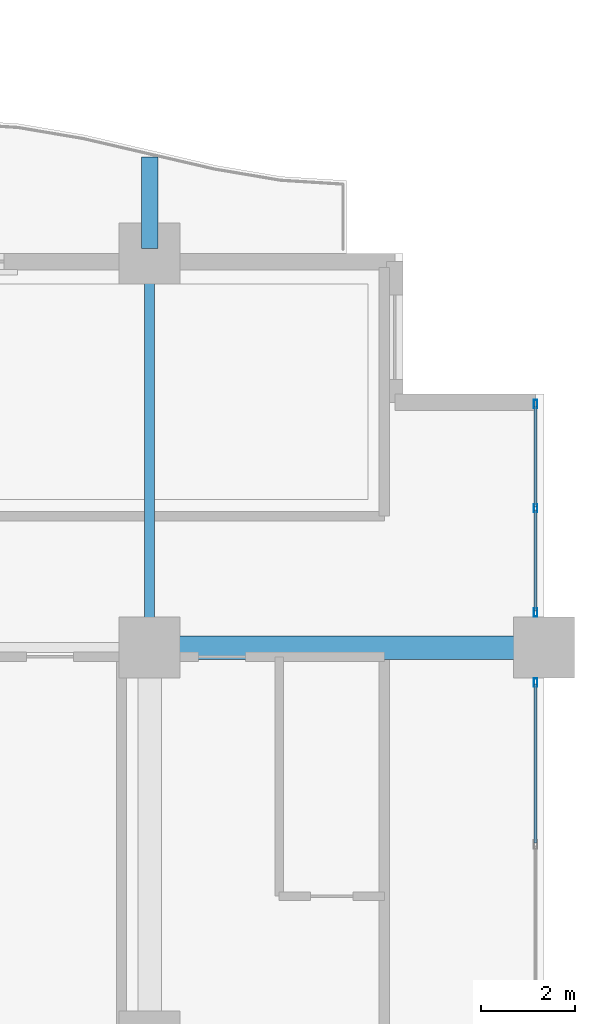
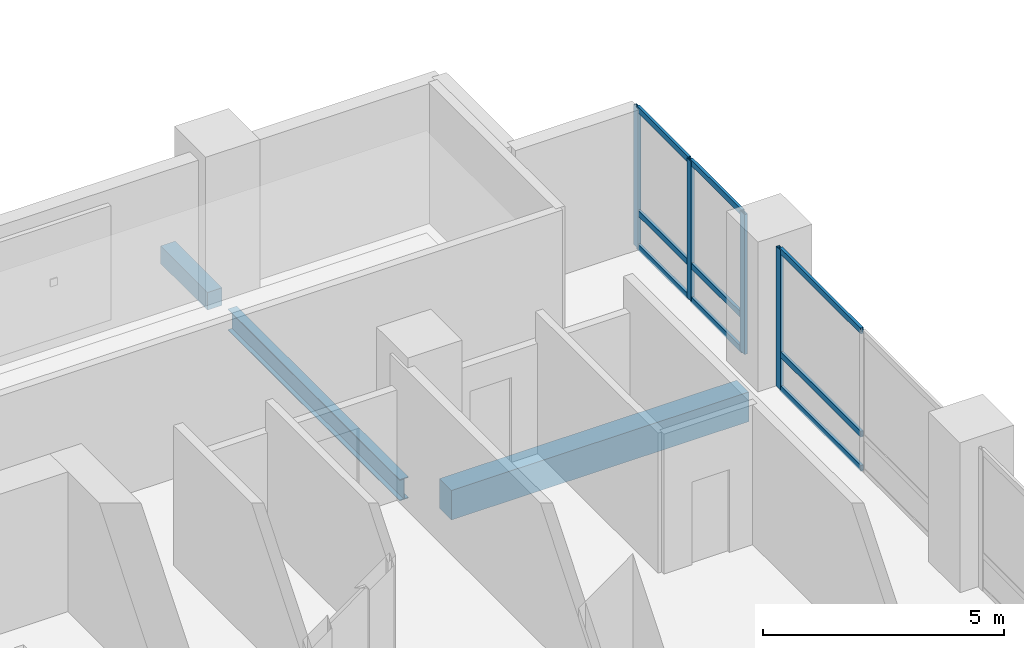
# One storey, part 6 of 23: 13 members, 3 beams, 2 elements without a shape of their own.
"""IFC4 building model written with IfcOpenShell, lengths in metres."""

import ifcopenshell
import ifcopenshell.guid

model = None  # the IFC model being written
_history = None  # IfcOwnerHistory: only IFC2X3 demands one
_inside = {}  # id of a spatial element -> (the spatial element, [elements in it])
_under = {}  # id of a project, library or spatial element -> (it, [spatial elements below it])
_declared = {}  # id of a project -> (the project, [libraries it declares])
_typed = {}  # id of a type object -> (the type object, [elements of that type])
_made_of = {}  # id of a material, layer set ... -> (it, [elements and type objects made of it])


def new_model(schema):
    """Start an empty IFC model of exactly this schema.

    Asked for "IFC4X3", IfcOpenShell would pick the latest addendum, in which some entities
    have other attributes; the version numbers below select the first issue.
    IFC2X3 requires an IfcOwnerHistory on every rooted entity: one is made here for all.
    """
    global model, _history
    if schema == "IFC4X3":
        model = ifcopenshell.file(schema_version=(4, 3, 0, 0))
    else:
        model = ifcopenshell.file(schema=schema)
    _inside.clear()
    _under.clear()
    _declared.clear()
    _typed.clear()
    _made_of.clear()
    _history = None
    if model.schema == "IFC2X3":
        org = make("IfcOrganization", Name="unknown")
        user = make(
            "IfcPersonAndOrganization",
            ThePerson=make("IfcPerson", FamilyName="unknown"),
            TheOrganization=org,
        )
        app = make(
            "IfcApplication",
            ApplicationDeveloper=org,
            Version="unknown",
            ApplicationFullName="unknown",
            ApplicationIdentifier="unknown",
        )
        _history = make(
            "IfcOwnerHistory",
            OwningUser=user,
            OwningApplication=app,
            ChangeAction="ADDED",
            CreationDate=0,
        )
    return model


def make(cls, **values):
    """One entity of the class cls with the attributes given. An attribute that is None is left unset."""
    return model.create_entity(
        cls, **{name: value for name, value in values.items() if value is not None}
    )


def rooted(cls, **values):
    """An entity with a GlobalId (a new one), such as an element, a storey or a relation."""
    return make(cls, GlobalId=ifcopenshell.guid.new(), OwnerHistory=_history, **values)


def si_unit(unit_type, name, prefix=None):
    """IfcSIUnit, for example si_unit("LENGTHUNIT", "METRE", prefix="MILLI")."""
    return make("IfcSIUnit", UnitType=unit_type, Prefix=prefix, Name=name)


def assignment(units):
    """IfcUnitAssignment: the units of a project."""
    return None if units is None else make("IfcUnitAssignment", Units=units)


def point(xyz):
    """IfcCartesianPoint."""
    return None if xyz is None else make("IfcCartesianPoint", Coordinates=xyz)


def direction(xyz):
    """IfcDirection."""
    return None if xyz is None else make("IfcDirection", DirectionRatios=xyz)


def frame(location, z_axis=None, x_axis=None):
    """IfcAxis2Placement3D, a coordinate frame: its origin and axes. An axis left out is left unset."""
    return make(
        "IfcAxis2Placement3D",
        Location=point(location),
        Axis=direction(z_axis),
        RefDirection=direction(x_axis),
    )


def frame_2d(location, x_axis=None):
    """IfcAxis2Placement2D, a coordinate frame in the plane: its origin and x axis."""
    return make(
        "IfcAxis2Placement2D", Location=point(location), RefDirection=direction(x_axis)
    )


def origin():
    """The frame at (0, 0, 0) with its axes left unset."""
    return frame((0.0, 0.0, 0.0))


def origin_2d():
    """The frame at (0, 0) in the plane with its x axis left unset."""
    return frame_2d((0.0, 0.0))


def place(relative_to, where):
    """IfcLocalPlacement: puts the frame where relative to a parent placement (None: the world)."""
    return make(
        "IfcLocalPlacement", PlacementRelTo=relative_to, RelativePlacement=where
    )


def context(
    kind, dimensions, precision=None, world=None, true_north=None, identifier=None
):
    """IfcGeometricRepresentationContext, for example the 3D "Model" context."""
    return make(
        "IfcGeometricRepresentationContext",
        ContextIdentifier=identifier,
        ContextType=kind,
        CoordinateSpaceDimension=dimensions,
        Precision=precision,
        WorldCoordinateSystem=world,
        TrueNorth=true_north,
    )


def subcontext(parent, identifier, kind, view, scale=None):
    """IfcGeometricRepresentationSubContext, for example "Body" below "Model"."""
    return make(
        "IfcGeometricRepresentationSubContext",
        ContextIdentifier=identifier,
        ContextType=kind,
        ParentContext=parent,
        TargetScale=scale,
        TargetView=view,
    )


def project(units=None, contexts=None):
    """IfcProject with its units and contexts."""
    return rooted(
        "IfcProject",
        Name="project",
        RepresentationContexts=contexts,
        UnitsInContext=assignment(units),
    )


def spatial(cls, under=None, at=None, **own):
    """A site, building, storey or space (cls), placed at a placement, below another one or the project."""
    s = rooted(cls, ObjectPlacement=at, **own)
    if under is not None:
        _under.setdefault(under.id(), (under, []))[1].append(s)
    return s


def profile(cls, at=None, kind="AREA", **sizes):
    """A parametric profile (cls). Its sizes go by their IFC names, for example OverallWidth=200.0."""
    return make(cls, ProfileType=kind, Position=at, **sizes)


def rectangle(**sizes):
    """IfcRectangleProfileDef."""
    return profile("IfcRectangleProfileDef", **sizes)


def hollow_rectangle(**sizes):
    """IfcRectangleHollowProfileDef."""
    return profile("IfcRectangleHollowProfileDef", **sizes)


def i_section(**sizes):
    """IfcIShapeProfileDef."""
    return profile("IfcIShapeProfileDef", **sizes)


def extrude(swept, where, along, depth):
    """IfcExtrudedAreaSolid: the profile swept, set in the frame where, extruded along a direction by depth."""
    return make(
        "IfcExtrudedAreaSolid",
        SweptArea=swept,
        Position=where,
        ExtrudedDirection=direction(along),
        Depth=depth,
    )


def shape(context_of_items, identifier, shape_type, items):
    """IfcShapeRepresentation: the items that make up one representation, for example the "Body"."""
    return make(
        "IfcShapeRepresentation",
        ContextOfItems=context_of_items,
        RepresentationIdentifier=identifier,
        RepresentationType=shape_type,
        Items=items,
    )


def material(Name=None, Category=None):
    """IfcMaterial."""
    return make("IfcMaterial", Name=Name, Category=Category)


def layer(
    of_material, thickness, ventilated=None, Name=None, Category=None, Priority=None
):
    """IfcMaterialLayer: one layer of a wall or slab, of a material (None: an air gap)."""
    return make(
        "IfcMaterialLayer",
        Material=of_material,
        LayerThickness=thickness,
        IsVentilated=ventilated,
        Name=Name,
        Category=Category,
        Priority=Priority,
    )


def layer_set(layers, Name=None):
    """IfcMaterialLayerSet."""
    return make("IfcMaterialLayerSet", MaterialLayers=layers, LayerSetName=Name)


def material_profile(
    of_material, cross_section, Name=None, Category=None, Priority=None
):
    """IfcMaterialProfile: a cross section and its material."""
    return make(
        "IfcMaterialProfile",
        Name=Name,
        Material=of_material,
        Profile=cross_section,
        Priority=Priority,
        Category=Category,
    )


def profile_set(profiles, Name=None, composite=None):
    """IfcMaterialProfileSet."""
    return make(
        "IfcMaterialProfileSet",
        Name=Name,
        MaterialProfiles=profiles,
        CompositeProfile=composite,
    )


def made_of(thing, what):
    """Note that an element or type object is made of a material, layer set ...; save() writes the relation."""
    if what is not None:
        _made_of.setdefault(what.id(), (what, []))[1].append(thing)
    return thing


def type_object(cls, material=None, **own):
    """A type object (cls), such as IfcWallType, which elements share."""
    return made_of(rooted(cls, **own), material)


def element(
    cls,
    number,
    at=None,
    inside=None,
    cuts=None,
    type_object=None,
    material=None,
    context=None,
    identifier="Body",
    shape_type=None,
    held_by="IfcProductDefinitionShape",
    body=None,
    shapes=None,
    **own,
):
    """One element of the class cls, such as IfcWall. Its Tag is "e" and its number.

    at: its placement. inside: the storey or other place that contains it. cuts: it is an
    opening in that element (IfcRelVoidsElement). A single representation is given by context,
    identifier, shape_type and body (its items); several are given by shapes. held_by: the class
    of the entity that holds the representations. save() writes the other relations.
    """
    e = rooted(cls, Tag="e%d" % number, ObjectPlacement=at, **own)
    if body is not None:
        shapes = [shape(context, identifier, shape_type, body)]
    if shapes is not None:
        e.Representation = make(held_by, Representations=shapes)
    if inside is not None:
        _inside.setdefault(inside.id(), (inside, []))[1].append(e)
    if cuts is not None:
        rooted(
            "IfcRelVoidsElement", RelatingBuildingElement=cuts, RelatedOpeningElement=e
        )
    if type_object is not None:
        _typed.setdefault(type_object.id(), (type_object, []))[1].append(e)
    return made_of(e, material)


def aggregate(whole, parts):
    """IfcRelAggregates: a whole, such as a stair, and the parts it consists of."""
    return rooted("IfcRelAggregates", RelatingObject=whole, RelatedObjects=parts)


def save(model, path):
    """Write the relations noted so far, then the file.

    IfcRelAggregates (storeys below a building ...), IfcRelContainedInSpatialStructure (elements
    in a storey), IfcRelDefinesByType, IfcRelAssociatesMaterial and IfcRelDeclares: one each for
    every whole, place, type object, material and project.
    """
    for whole, parts in _under.values():
        aggregate(whole, parts)
    for where, things in _inside.values():
        rooted(
            "IfcRelContainedInSpatialStructure",
            RelatedElements=things,
            RelatingStructure=where,
        )
    for kind, things in _typed.values():
        rooted("IfcRelDefinesByType", RelatedObjects=things, RelatingType=kind)
    for what, things in _made_of.values():
        rooted("IfcRelAssociatesMaterial", RelatedObjects=things, RelatingMaterial=what)
    for by, libraries in _declared.values():
        rooted("IfcRelDeclares", RelatingContext=by, RelatedDefinitions=libraries)
    model.write(path)


model = new_model("IFC4")

# Units and contexts
model_context = context("Model", 3, precision=1e-05, world=origin(), true_north=direction((0.0, 1.0)))
body_context = subcontext(model_context, "Body", "Model", "MODEL_VIEW")
ifc_project = project(units=[si_unit("LENGTHUNIT", "METRE"), si_unit("AREAUNIT", "SQUARE_METRE"), si_unit("VOLUMEUNIT", "CUBIC_METRE"), si_unit("PLANEANGLEUNIT", "RADIAN"), si_unit("MASSUNIT", "GRAM", prefix="KILO")], contexts=[model_context])

# Site, building, storey
site_placement = place(None, origin())
site = spatial("IfcSite", under=ifc_project, at=site_placement, CompositionType="ELEMENT")
building_placement = place(site_placement, origin())
building = spatial("IfcBuilding", under=site, at=building_placement, Name="Koriwani Terraces Tower", CompositionType="ELEMENT")
storey_placement = place(building_placement, frame((0.0, 0.0, 119.0)))
storey = spatial("IfcBuildingStorey", under=building, at=storey_placement, Name="L28", CompositionType="ELEMENT", Elevation=119.0)

# Beams
ifc_material_1 = material(Name="Concrete C40/50", Category="concrete")
ifc_material_profile_1 = material_profile(ifc_material_1, rectangle(XDim=0.35009765625, YDim=0.449951171875, at=origin_2d()), Name="Concrete C40/50", Category="LoadBearing")
ifc_profile_set_1 = profile_set([ifc_material_profile_1], Name="Concrete C40/50")
beam_type_1 = type_object("IfcBeamType", Name="BEAM_RC_BALCONY_RIB_350X450", PredefinedType="JOIST", material=ifc_profile_set_1)
beam_1_placement = place(storey_placement, frame((67.199951171875, 33.699951171875, -0.47509765625), z_axis=(0.0, 1.0, 0.0), x_axis=(-1.0, 0.0, 0.0)))
element("IfcBeam", 1, at=beam_1_placement, inside=storey, type_object=beam_type_1, Name="L28 Balcony Bracket Rib NE-4", PredefinedType="JOIST", context=body_context, shape_type="SweptSolid", body=[
    extrude(rectangle(XDim=0.35009765625, YDim=0.449951171875, at=origin_2d()), origin(), (0.0, 0.0, 1.0), 1.949951171875),
])
ifc_material_2 = material(Name="Concrete C50/60", Category="concrete")
ifc_material_profile_2 = material_profile(ifc_material_2, rectangle(XDim=0.5, YDim=0.75, at=origin_2d()), Name="Concrete C50/60", Category="LoadBearing")
ifc_profile_set_2 = profile_set([ifc_material_profile_2], Name="Concrete C50/60")
beam_type_2 = type_object("IfcBeamType", Name="BEAM_RC_GRID_500X750", PredefinedType="BEAM", material=ifc_profile_set_2)
beam_2_placement = place(storey_placement, frame((67.830078125, 25.199951171875, -0.625), z_axis=(1.0, 0.0, 0.0), x_axis=(0.0, 1.0, 0.0)))
element("IfcBeam", 2, at=beam_2_placement, inside=storey, type_object=beam_type_2, Name="L28 Grid Beam D (67.2-75.6m)", PredefinedType="BEAM", context=body_context, shape_type="SweptSolid", body=[
    extrude(rectangle(XDim=0.5, YDim=0.75, at=origin_2d()), origin(), (0.0, 0.0, 1.0), 7.139892578125),
])

# Curtain wall, members
ifc_material_3 = material(Name="Anodised Bronze Aluminium", Category="aluminium")
ifc_layer = layer(ifc_material_3, 0.179931640625, Name="Anodised Bronze Aluminium")
ifc_layer_set = layer_set([ifc_layer], Name="Anodised Bronze Aluminium")
curtain_wall_type = type_object("IfcCurtainWallType", Name="CW_HOTEL_ZONE2", PredefinedType="NOTDEFINED", material=ifc_layer_set)
curtain_wall_1_placement = place(storey_placement, origin())
curtain_wall_1 = element("IfcCurtainWall", 3, at=curtain_wall_1_placement, inside=storey, type_object=curtain_wall_type, Name="L28 Unitised Curtain Wall (E_TIP) Bay 1", PredefinedType="NOTDEFINED")
ifc_material_profile_3 = material_profile(ifc_material_3, hollow_rectangle(XDim=0.074951171875, YDim=0.179931640625, WallThickness=0.006103515625, at=origin_2d()), Name="Anodised Bronze Aluminium", Category="LoadBearing")
ifc_profile_set_3 = profile_set([ifc_material_profile_3], Name="Anodised Bronze Aluminium")
member_type_1 = type_object("IfcMemberType", Name="CW_MULLION_180X75", PredefinedType="MULLION", material=ifc_profile_set_3)
member_1_placement = place(storey_placement, frame((75.425048828125, 30.387451171875, 0.0), z_axis=(0.0, 0.0, 1.0), x_axis=(1.0, 0.0, 0.0)))
member_1 = element("IfcMember", 4, at=member_1_placement, type_object=member_type_1, Name="CW-Z2 mullion 1", PredefinedType="MULLION", context=body_context, shape_type="SweptSolid", body=[
    extrude(hollow_rectangle(XDim=0.074951171875, YDim=0.179931640625, WallThickness=0.006103515625, at=origin_2d()), origin(), (0.0, 0.0, 1.0), 3.550048828125),
])
member_2_placement = place(storey_placement, frame((75.425048828125, 28.16748046875, 0.0), z_axis=(0.0, 0.0, 1.0), x_axis=(1.0, 0.0, 0.0)))
member_2 = element("IfcMember", 5, at=member_2_placement, type_object=member_type_1, Name="CW-Z2 mullion 2", PredefinedType="MULLION", context=body_context, shape_type="SweptSolid", body=[
    extrude(hollow_rectangle(XDim=0.074951171875, YDim=0.179931640625, WallThickness=0.006103515625, at=origin_2d()), origin(), (0.0, 0.0, 1.0), 3.550048828125),
])
member_3_placement = place(storey_placement, frame((75.425048828125, 25.947509765625, 0.0), z_axis=(0.0, 0.0, 1.0), x_axis=(1.0, 0.0, 0.0)))
member_3 = element("IfcMember", 6, at=member_3_placement, type_object=member_type_1, Name="CW-Z2 mullion 3", PredefinedType="MULLION", context=body_context, shape_type="SweptSolid", body=[
    extrude(hollow_rectangle(XDim=0.074951171875, YDim=0.179931640625, WallThickness=0.006103515625, at=origin_2d()), origin(), (0.0, 0.0, 1.0), 3.550048828125),
])

# Curtain wall, member
curtain_wall_2_placement = place(storey_placement, origin())
curtain_wall_2 = element("IfcCurtainWall", 7, at=curtain_wall_2_placement, inside=storey, type_object=curtain_wall_type, Name="L28 Unitised Curtain Wall (E_TIP) Bay 2", PredefinedType="NOTDEFINED")
member_4_placement = place(storey_placement, frame((75.425048828125, 24.452392578125, 0.0), z_axis=(0.0, 0.0, 1.0), x_axis=(1.0, 0.0, 0.0)))
member_4 = element("IfcMember", 8, at=member_4_placement, type_object=member_type_1, Name="CW-Z2 mullion 1", PredefinedType="MULLION", context=body_context, shape_type="SweptSolid", body=[
    extrude(hollow_rectangle(XDim=0.074951171875, YDim=0.179931640625, WallThickness=0.006103515625, at=origin_2d()), origin(), (0.0, 0.0, 1.0), 3.550048828125),
])

# Member
ifc_material_profile_4 = material_profile(ifc_material_3, hollow_rectangle(XDim=0.06494140625, YDim=0.14990234375, WallThickness=0.0048828125, at=origin_2d()), Name="Anodised Bronze Aluminium", Category="LoadBearing")
ifc_profile_set_4 = profile_set([ifc_material_profile_4], Name="Anodised Bronze Aluminium")
member_type_2 = type_object("IfcMemberType", Name="CW_TRANSOM_150X65", PredefinedType="USERDEFINED", material=ifc_profile_set_4)
member_5_placement = place(storey_placement, frame((75.425048828125, 30.35009765625, 0.032470703125), z_axis=(0.0, -1.0, 0.0), x_axis=(1.0, 0.0, 0.0)))
member_5 = element("IfcMember", 9, at=member_5_placement, type_object=member_type_2, Name="CW-Z2 transom 1.1", ObjectType="TRANSOM", PredefinedType="USERDEFINED", context=body_context, shape_type="SweptSolid", body=[
    extrude(hollow_rectangle(XDim=0.06494140625, YDim=0.14990234375, WallThickness=0.0048828125, at=origin_2d()), origin(), (0.0, 0.0, 1.0), 2.14501953125),
])

member_6_placement = place(storey_placement, frame((75.425048828125, 30.35009765625, 0.89990234375), z_axis=(0.0, -1.0, 0.0), x_axis=(1.0, 0.0, 0.0)))
member_6 = element("IfcMember", 10, at=member_6_placement, type_object=member_type_2, Name="CW-Z2 transom 1.2", ObjectType="TRANSOM", PredefinedType="USERDEFINED", context=body_context, shape_type="SweptSolid", body=[
    extrude(hollow_rectangle(XDim=0.06494140625, YDim=0.14990234375, WallThickness=0.0048828125, at=origin_2d()), origin(), (0.0, 0.0, 1.0), 2.14501953125),
])

member_7_placement = place(storey_placement, frame((75.425048828125, 30.35009765625, 3.517578125), z_axis=(0.0, -1.0, 0.0), x_axis=(1.0, 0.0, 0.0)))
member_7 = element("IfcMember", 11, at=member_7_placement, type_object=member_type_2, Name="CW-Z2 transom 1.3", ObjectType="TRANSOM", PredefinedType="USERDEFINED", context=body_context, shape_type="SweptSolid", body=[
    extrude(hollow_rectangle(XDim=0.06494140625, YDim=0.14990234375, WallThickness=0.0048828125, at=origin_2d()), origin(), (0.0, 0.0, 1.0), 2.14501953125),
])

member_8_placement = place(storey_placement, frame((75.425048828125, 28.1298828125, 0.032470703125), z_axis=(0.0, -1.0, 0.0), x_axis=(1.0, 0.0, 0.0)))
member_8 = element("IfcMember", 12, at=member_8_placement, type_object=member_type_2, Name="CW-Z2 transom 2.1", ObjectType="TRANSOM", PredefinedType="USERDEFINED", context=body_context, shape_type="SweptSolid", body=[
    extrude(hollow_rectangle(XDim=0.06494140625, YDim=0.14990234375, WallThickness=0.0048828125, at=origin_2d()), origin(), (0.0, 0.0, 1.0), 2.144775390625),
])

member_9_placement = place(storey_placement, frame((75.425048828125, 28.1298828125, 0.89990234375), z_axis=(0.0, -1.0, 0.0), x_axis=(1.0, 0.0, 0.0)))
member_9 = element("IfcMember", 13, at=member_9_placement, type_object=member_type_2, Name="CW-Z2 transom 2.2", ObjectType="TRANSOM", PredefinedType="USERDEFINED", context=body_context, shape_type="SweptSolid", body=[
    extrude(hollow_rectangle(XDim=0.06494140625, YDim=0.14990234375, WallThickness=0.0048828125, at=origin_2d()), origin(), (0.0, 0.0, 1.0), 2.144775390625),
])

member_10_placement = place(storey_placement, frame((75.425048828125, 28.1298828125, 3.517578125), z_axis=(0.0, -1.0, 0.0), x_axis=(1.0, 0.0, 0.0)))
member_10 = element("IfcMember", 14, at=member_10_placement, type_object=member_type_2, Name="CW-Z2 transom 2.3", ObjectType="TRANSOM", PredefinedType="USERDEFINED", context=body_context, shape_type="SweptSolid", body=[
    extrude(hollow_rectangle(XDim=0.06494140625, YDim=0.14990234375, WallThickness=0.0048828125, at=origin_2d()), origin(), (0.0, 0.0, 1.0), 2.144775390625),
])

aggregate(curtain_wall_1, [member_1, member_2, member_3, member_5, member_6, member_7, member_8, member_9, member_10])

member_11_placement = place(storey_placement, frame((75.425048828125, 24.4150390625, 0.032470703125), z_axis=(0.0, -1.0, 0.0), x_axis=(1.0, 0.0, 0.0)))
member_11 = element("IfcMember", 15, at=member_11_placement, type_object=member_type_2, Name="CW-Z2 transom 1.1", ObjectType="TRANSOM", PredefinedType="USERDEFINED", context=body_context, shape_type="SweptSolid", body=[
    extrude(hollow_rectangle(XDim=0.06494140625, YDim=0.14990234375, WallThickness=0.0048828125, at=origin_2d()), origin(), (0.0, 0.0, 1.0), 3.37744140625),
])

member_12_placement = place(storey_placement, frame((75.425048828125, 24.4150390625, 0.89990234375), z_axis=(0.0, -1.0, 0.0), x_axis=(1.0, 0.0, 0.0)))
member_12 = element("IfcMember", 16, at=member_12_placement, type_object=member_type_2, Name="CW-Z2 transom 1.2", ObjectType="TRANSOM", PredefinedType="USERDEFINED", context=body_context, shape_type="SweptSolid", body=[
    extrude(hollow_rectangle(XDim=0.06494140625, YDim=0.14990234375, WallThickness=0.0048828125, at=origin_2d()), origin(), (0.0, 0.0, 1.0), 3.37744140625),
])

member_13_placement = place(storey_placement, frame((75.425048828125, 24.4150390625, 3.517578125), z_axis=(0.0, -1.0, 0.0), x_axis=(1.0, 0.0, 0.0)))
member_13 = element("IfcMember", 17, at=member_13_placement, type_object=member_type_2, Name="CW-Z2 transom 1.3", ObjectType="TRANSOM", PredefinedType="USERDEFINED", context=body_context, shape_type="SweptSolid", body=[
    extrude(hollow_rectangle(XDim=0.06494140625, YDim=0.14990234375, WallThickness=0.0048828125, at=origin_2d()), origin(), (0.0, 0.0, 1.0), 3.37744140625),
])

aggregate(curtain_wall_2, [member_4, member_11, member_12, member_13])

# Beam
ifc_material_4 = material(Name="Steel ASTM A572 Grade 50", Category="steel")
ifc_material_profile_5 = material_profile(ifc_material_4, i_section(OverallWidth=0.2119140625, OverallDepth=0.54296875, WebThickness=0.0126953125, FlangeThickness=0.021240234375, at=origin_2d()), Name="Steel ASTM A572 Grade 50", Category="LoadBearing")
ifc_profile_set_5 = profile_set([ifc_material_profile_5], Name="Steel ASTM A572 Grade 50")
beam_type_3 = type_object("IfcBeamType", Name="STEEL_BEAM_W530X150", PredefinedType="BEAM", material=ifc_profile_set_5)
beam_3_placement = place(storey_placement, frame((67.199951171875, 25.830078125, -0.521484375), z_axis=(0.0, 1.0, 0.0), x_axis=(-1.0, 0.0, 0.0)))
element("IfcBeam", 18, at=beam_3_placement, inside=storey, type_object=beam_type_3, Name="L28 Grid Beam 9 (25.2-33.6m)", PredefinedType="BEAM", context=body_context, shape_type="SweptSolid", body=[
    extrude(i_section(OverallWidth=0.2119140625, OverallDepth=0.54296875, WebThickness=0.0126953125, FlangeThickness=0.021240234375, at=origin_2d()), origin(), (0.0, 0.0, 1.0), 7.139892578125),
])

save(model, "model.ifc")
